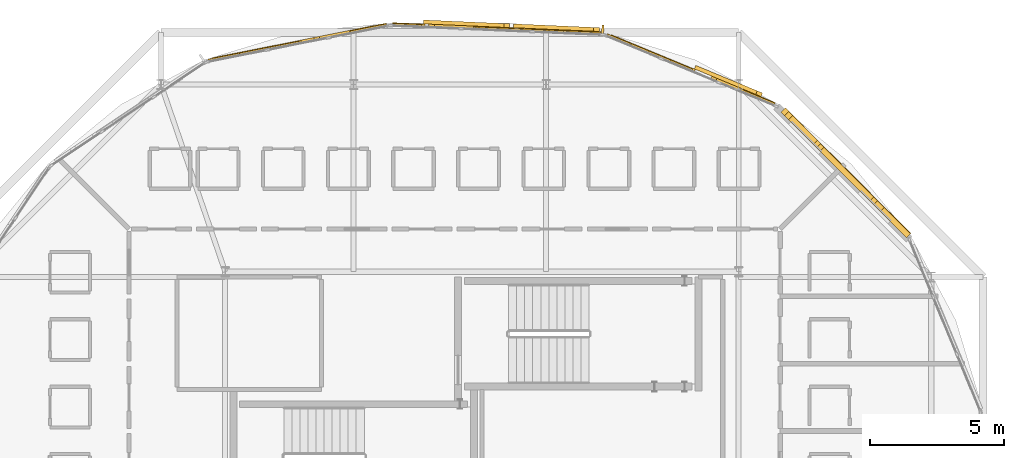
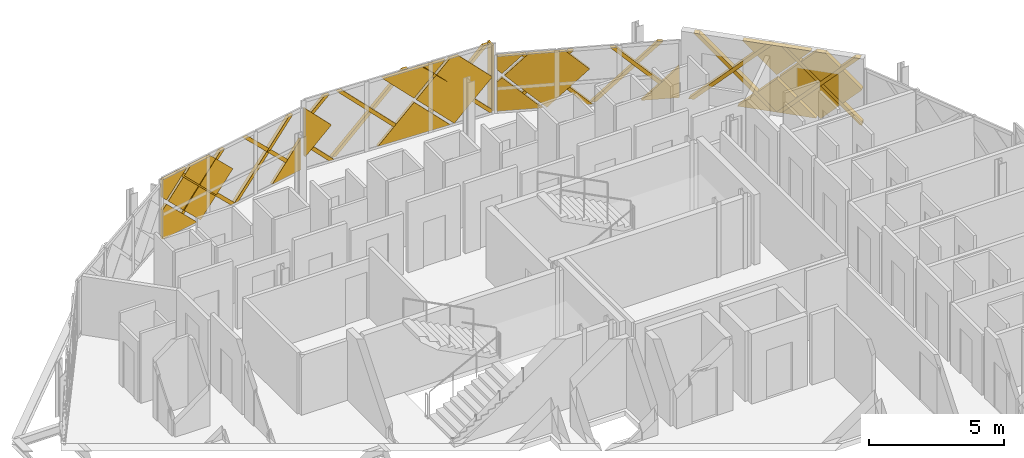
# One storey, part 24 of 24: 33 coverings, 1 shading device.
"""IFC4 building model written with IfcOpenShell, lengths in metres."""

from ifc_helpers import new_model, si_unit, direction, frame, origin, origin_2d, place, context, subcontext, project, spatial, polyline, rectangle, outline, extrude, material, layer, layer_set, type_object, element, save


model = new_model("IFC4")

# Units and contexts
model_context = context("Model", 3, precision=1e-05, world=origin(), true_north=direction((0.0, 1.0)))
body_context = subcontext(model_context, "Body", "Model", "MODEL_VIEW")
ifc_project = project(units=[si_unit("LENGTHUNIT", "METRE"), si_unit("AREAUNIT", "SQUARE_METRE"), si_unit("VOLUMEUNIT", "CUBIC_METRE"), si_unit("PLANEANGLEUNIT", "RADIAN"), si_unit("MASSUNIT", "GRAM", prefix="KILO")], contexts=[model_context])

# Site, building, storey
site_placement = place(None, origin())
site = spatial("IfcSite", under=ifc_project, at=site_placement, CompositionType="ELEMENT")
building_placement = place(site_placement, origin())
building = spatial("IfcBuilding", under=site, at=building_placement, Name="Zevrakil Square Congress Hotel", CompositionType="ELEMENT")
storey_placement = place(building_placement, frame((0.0, 0.0, 35.10009765625)))
storey = spatial("IfcBuildingStorey", under=building, at=storey_placement, Name="L10", CompositionType="ELEMENT", Elevation=35.10009765625)

# Coverings
ifc_material_1 = material(Name="Architectural White Fibre-C GRC", Category="concrete")
ifc_layer_1 = layer(ifc_material_1, 0.06494140625)
ifc_layer_set_1 = layer_set([ifc_layer_1], Name="Architectural White Fibre-C GRC")
covering_type_1 = type_object("IfcCoveringType", Name="COV-DIA-WHITE", PredefinedType="CLADDING", material=ifc_layer_set_1)
covering_1_placement = place(storey_placement, frame((160.11962890625, 42.317626953125, 1.58984375), z_axis=(0.707106665659, 0.707106665659, 0.000571630288), x_axis=(-0.499716692516, 0.500288319938, -0.707103121302)))
element("IfcCovering", 1, at=covering_1_placement, inside=storey, type_object=covering_type_1, Name="L10 45-degree white GRC diamond facade cassette 3127", PredefinedType="CLADDING", context=body_context, shape_type="SweptSolid", body=[
    extrude(outline(polyline([(0.0, 0.0), (2.1354873428434074, 0.0), (-2.1408116838594893e-05, -2.1354873427360994), (0.0, 0.0)])), origin(), (0.0, 0.0, -1.0), 0.2099609375),
])
covering_2_placement = place(storey_placement, frame((160.183349609375, 42.25390625, 1.679931640625), z_axis=(0.707106663625, 0.707106663625, 0.00057663933), x_axis=(0.500240182649, -0.499663487777, -0.707174772349)))
element("IfcCovering", 2, at=covering_2_placement, inside=storey, type_object=covering_type_1, Name="L10 45-degree white GRC diamond facade cassette 3128", PredefinedType="CLADDING", context=body_context, shape_type="SweptSolid", body=[
    extrude(outline(polyline([(0.0, 0.0), (2.2485076134077002, 0.0), (2.2483178134371515, -2.234593685585913), (2.2341605059829, -2.248748265899383), (0.2612823635777707, -2.2485359916129237), (-0.0004111751662821961, -1.9867920327853321), (0.0, 0.0)])), origin(), (0.0, 0.0, -1.0), 0.2099609375),
])
covering_3_placement = place(storey_placement, frame((160.11962890625, 42.317626953125, 1.77001953125), z_axis=(0.70710662884, 0.70710662884, 0.000656430216), x_axis=(0.499673233658, -0.500329661973, 0.707104581314)))
element("IfcCovering", 3, at=covering_3_placement, inside=storey, type_object=covering_type_1, Name="L10 45-degree white GRC diamond facade cassette 3129", PredefinedType="CLADDING", context=body_context, shape_type="SweptSolid", body=[
    extrude(outline(polyline([(0.0, 0.0), (1.8596137558692716, 0.0), (-1.0769527048926086e-05, -1.8596137558380872), (0.0, 0.0)])), origin(), (0.0, 0.0, -1.0), 0.2099609375),
])
covering_4_placement = place(storey_placement, frame((156.063720703125, 45.441650390625, 0.079833984375), z_axis=(0.382708559996, 0.923868854107, 0.000706056783), x_axis=(0.923869084389, -0.382708655389, 0.0)))
element("IfcCovering", 4, at=covering_4_placement, inside=storey, type_object=covering_type_1, Name="L10 45-degree white GRC diamond facade cassette 3134", PredefinedType="CLADDING", context=body_context, shape_type="SweptSolid", body=[
    extrude(outline(polyline([(0.0, 0.0), (1.4098212142643223, 0.0), (1.4099693992099196, -1.4101566014929852), (0.0, 0.0)])), origin(), (0.0, 0.0, -1.0), 0.1201171875),
])
covering_5_placement = place(storey_placement, frame((151.249755859375, 47.4345703125, 1.58984375), z_axis=(0.382709013795, 0.923868678907, 0.000689125563), x_axis=(-0.653022420204, 0.271039494994, -0.707177001086)))
element("IfcCovering", 5, at=covering_5_placement, inside=storey, type_object=covering_type_1, Name="L10 45-degree white GRC diamond facade cassette 3135", PredefinedType="CLADDING", context=body_context, shape_type="SweptSolid", body=[
    extrude(outline(polyline([(0.0, 0.0), (0.26272191217596336, 0.0), (1.1991247849860547, -0.9363258613185188), (0.00011626749712867479, -2.135572949177425), (0.0, 0.0)])), origin(), (0.0, 0.0, -1.0), 0.1201171875),
])
covering_6_placement = place(storey_placement, frame((151.3330078125, 47.39990234375, 1.679931640625), z_axis=(0.382636576828, 0.923898731416, 0.00061980693), x_axis=(0.653413857094, -0.270139713964, -0.707159717672)))
element("IfcCovering", 6, at=covering_6_placement, inside=storey, type_object=covering_type_1, Name="L10 45-degree white GRC diamond facade cassette 3136", PredefinedType="CLADDING", context=body_context, shape_type="SweptSolid", body=[
    extrude(outline(polyline([(0.0, 0.0), (2.2485555277166682, -2.220446049250313e-16), (2.2484274147121424, -2.248764980229939), (0.9898207064568879, -2.2485621544883805), (-4.090177526516747e-05, -1.2585519776338137), (0.0, 0.0)])), origin(), (0.0, 0.0, -1.0), 0.1201171875),
])
covering_7_placement = place(storey_placement, frame((151.249755859375, 47.434326171875, 1.77001953125), z_axis=(0.382821907419, 0.92382203329, 0.000487861163), x_axis=(0.653231826221, -0.271065583658, 0.706973571337)))
element("IfcCovering", 7, at=covering_7_placement, inside=storey, type_object=covering_type_1, Name="L10 45-degree white GRC diamond facade cassette 3137", PredefinedType="CLADDING", context=body_context, shape_type="SweptSolid", body=[
    extrude(outline(polyline([(0.0, 0.0), (1.1313077467635297, -1.1102230246251565e-16), (0.4339749010691525, -0.6970703620436047), (-2.32350806222692e-05, -0.2627219697375292), (0.0, 0.0)])), origin(), (0.0, 0.0, -1.0), 0.1201171875),
])
covering_8_placement = place(storey_placement, frame((147.596923828125, 47.69580078125, 1.58984375), z_axis=(0.043086410141, 0.999071187493, 0.000568842742), x_axis=(-0.706426752544, 0.030868299593, -0.707112714757)))
element("IfcCovering", 8, at=covering_8_placement, inside=storey, type_object=covering_type_1, Name="L10 45-degree white GRC diamond facade cassette 3142", PredefinedType="CLADDING", context=body_context, shape_type="SweptSolid", body=[
    extrude(outline(polyline([(0.0, 0.0), (2.135458370514828, -2.220446049250313e-16), (-8.387518109587155e-05, -2.1355787772971335), (0.0, 0.0)])), origin(), (0.0, 0.0, -1.0), 0.1201171875),
])
covering_9_placement = place(storey_placement, frame((147.68701171875, 47.69189453125, 1.679931640625), z_axis=(0.043117578707, 0.99906981849, 0.000610072482), x_axis=(0.706407674214, -0.030055122205, -0.707166803124)))
element("IfcCovering", 9, at=covering_9_placement, inside=storey, type_object=covering_type_1, Name="L10 45-degree white GRC diamond facade cassette 3143", PredefinedType="CLADDING", context=body_context, shape_type="SweptSolid", body=[
    extrude(outline(polyline([(0.0, 0.0), (2.2485329555748446, 0.0), (2.2483752581227345, -2.234600730413266), (2.234218110208634, -2.248755469734134), (0.2613333641552037, -2.2485587603349004), (-0.00025228079200545483, -1.9869286752764381), (0.0, 0.0)])), origin(), (0.0, 0.0, -1.0), 0.1201171875),
])
covering_10_placement = place(storey_placement, frame((144.150146484375, 47.844482421875, 1.679931640625), z_axis=(0.043059613715, 0.999072280907, 0.00066872308), x_axis=(-0.706473431631, 0.029975424745, 0.707104493205)))
element("IfcCovering", 10, at=covering_10_placement, inside=storey, type_object=covering_type_1, Name="L10 45-degree white GRC diamond facade cassette 3144", PredefinedType="CLADDING", context=body_context, shape_type="SweptSolid", body=[
    extrude(outline(polyline([(0.0, 0.0), (1.5474916250221034, 0.0), (5.3923718446147184e-05, -1.5475362260584025), (0.0, 0.0)])), origin(), (0.0, 0.0, -1.0), 0.1201171875),
])
covering_11_placement = place(storey_placement, frame((147.596923828125, 47.69580078125, 1.77001953125), z_axis=(0.043167297507, 0.999067646824, 0.000649227026), x_axis=(0.70643902096, -0.030983015972, 0.70709544079)))
element("IfcCovering", 11, at=covering_11_placement, inside=storey, type_object=covering_type_1, Name="L10 45-degree white GRC diamond facade cassette 3145", PredefinedType="CLADDING", context=body_context, shape_type="SweptSolid", body=[
    extrude(outline(polyline([(0.0, 0.0), (1.8596377948367748, -1.1102230246251565e-16), (-6.698815647077083e-06, -1.8595856298707423), (0.0, 0.0)])), origin(), (0.0, 0.0, -1.0), 0.1201171875),
])
covering_12_placement = place(storey_placement, frame((141.45361328125, 47.6005859375, 0.079833984375), z_axis=(-0.194983743053, 0.980806323849, 0.00054317914), x_axis=(0.980806468539, 0.194983771818, 0.0)))
element("IfcCovering", 12, at=covering_12_placement, inside=storey, type_object=covering_type_1, Name="L10 45-degree white GRC diamond facade cassette 3152", PredefinedType="CLADDING", context=body_context, shape_type="SweptSolid", body=[
    extrude(outline(polyline([(0.0, 0.0), (1.409872940642345, 0.0), (1.409969584966829, -1.4101564580288195), (0.0, 0.0)])), origin(), (0.0, 0.0, -1.0), 0.1201171875),
])
covering_13_placement = place(storey_placement, frame((136.34375, 46.583251953125, 1.58984375), z_axis=(-0.195094933104, 0.98078421567, 0.000537931904), x_axis=(-0.693839288016, -0.137628937092, -0.706855938703)))
element("IfcCovering", 13, at=covering_13_placement, inside=storey, type_object=covering_type_1, Name="L10 45-degree white GRC diamond facade cassette 3153", PredefinedType="CLADDING", context=body_context, shape_type="SweptSolid", body=[
    extrude(outline(polyline([(0.0, 0.0), (0.2624960217197745, 2.7755575615628914e-17), (1.1985996791059204, -0.9369698115085008), (-0.0008437876241818021, -2.135563080102116), (0.0, 0.0)])), origin(), (0.0, 0.0, -1.0), 0.1201171875),
])
covering_14_placement = place(storey_placement, frame((136.431884765625, 46.600830078125, 1.679931640625), z_axis=(-0.195069529518, 0.980789222803, 0.000615701003), x_axis=(0.693428308372, 0.138360111444, -0.707116440701)))
element("IfcCovering", 14, at=covering_14_placement, inside=storey, type_object=covering_type_1, Name="L10 45-degree white GRC diamond facade cassette 3154", PredefinedType="CLADDING", context=body_context, shape_type="SweptSolid", body=[
    extrude(outline(polyline([(0.0, 0.0), (2.248693058065618, 0.0), (2.2487336696625766, -2.248795966479184), (0.7070529549426807, -2.248711322764189), (9.19425580026001e-06, -1.5416479882939331), (0.0, 0.0)])), origin(), (0.0, 0.0, -1.0), 0.1201171875),
])
covering_15_placement = place(storey_placement, frame((136.34375, 46.583251953125, 1.77001953125), z_axis=(-0.195032363574, 0.98079656885, 0.000683879647), x_axis=(0.693629684063, 0.137435906976, 0.707099167628)))
element("IfcCovering", 15, at=covering_15_placement, inside=storey, type_object=covering_type_1, Name="L10 45-degree white GRC diamond facade cassette 3155", PredefinedType="CLADDING", context=body_context, shape_type="SweptSolid", body=[
    extrude(outline(polyline([(0.0, 0.0), (1.4142288191217562, -1.1102230246251565e-16), (0.5758718881893744, -0.8383392403229075), (-0.00012947437824370467, -0.26252970563505884), (0.0, 0.0)])), origin(), (0.0, 0.0, -1.0), 0.1201171875),
])
ifc_material_2 = material(Name="Anodised Champagne Aluminium", Category="aluminium")
ifc_layer_2 = layer(ifc_material_2, 0.0849609375)
ifc_layer_set_2 = layer_set([ifc_layer_2], Name="Anodised Champagne Aluminium")
covering_type_2 = type_object("IfcCoveringType", Name="COV-DIAGRID-45", PredefinedType="MOLDING", material=ifc_layer_set_2)
covering_16_placement = place(storey_placement, frame((162.38232421875, 40.091796875, 0.079833984375), z_axis=(0.707263099021, 0.706949924934, 0.000844037744), x_axis=(0.706950176861, -0.707263350837, -1.8691e-07)))
element("IfcCovering", 16, at=covering_16_placement, inside=storey, type_object=covering_type_2, Name="L10 45-degree aluminium diagrid rib 3130", PredefinedType="MOLDING", context=body_context, shape_type="SweptSolid", body=[
    extrude(outline(polyline([(0.0, 0.0), (0.08597147665933184, 6.776263578034403e-21), (0.08614412478392416, -0.12622080387437967), (-2.7926920646969373, -3.0051274855000165), (-3.005031254036251, -3.0051274855000165), (0.0, 0.0)])), origin(), (0.0, 0.0, -1.0), 0.235107421875),
])
covering_17_placement = place(storey_placement, frame((160.00634765625, 42.467529296875, 0.079833984375), z_axis=(0.707106664511, 0.707106664511, 0.000574463128), x_axis=(0.707106781376, -0.707106780997, -4.67423e-07)))
element("IfcCovering", 17, at=covering_17_placement, inside=storey, type_object=covering_type_2, Name="L10 45-degree aluminium diagrid rib 3131", PredefinedType="MOLDING", context=body_context, shape_type="SweptSolid", body=[
    extrude(outline(polyline([(0.0, 0.0), (0.21216656105428755, 6.776263578034403e-21), (-2.792866030163083, -3.005126143532835), (-3.005032591217278, -3.005125945189684), (0.0, 0.0)])), origin(), (0.0, 0.0, -1.0), 0.235107421875),
])
covering_18_placement = place(storey_placement, frame((162.39306640625, 40.078369140625, 3.0849609375), z_axis=(0.706818569252, 0.707394154406, 0.001010184912), x_axis=(-0.707394515051, 0.706818930191, -4.11145e-07)))
element("IfcCovering", 18, at=covering_18_placement, inside=storey, type_object=covering_type_2, Name="L10 45-degree aluminium diagrid rib 3132", PredefinedType="MOLDING", context=body_context, shape_type="SweptSolid", body=[
    extrude(outline(polyline([(0.0, 0.0), (0.2119939100044577, 0.0), (3.2171980140686354, -3.0051271637156884), (3.005031400325152, -3.0051273381074513), (0.0, 0.0)])), origin(), (0.0, 0.0, -1.0), 0.235107421875),
])
covering_19_placement = place(storey_placement, frame((160.01708984375, 42.4541015625, 3.0849609375), z_axis=(0.707106640009, 0.707106640009, 0.000631909419), x_axis=(-0.707106780957, 0.707106781416, -5.14165e-07)))
element("IfcCovering", 19, at=covering_19_placement, inside=storey, type_object=covering_type_2, Name="L10 45-degree aluminium diagrid rib 3133", PredefinedType="MOLDING", context=body_context, shape_type="SweptSolid", body=[
    extrude(outline(polyline([(0.0, 0.0), (0.21216656105429244, -1.3552527156068805e-20), (3.217026659246624, -3.005125899029297), (3.004860098192444, -3.005126117206755), (0.0, 0.0)])), origin(), (0.0, 0.0, -1.0), 0.235107421875),
])
covering_20_placement = place(storey_placement, frame((157.29638671875, 44.9580078125, 0.079833984375), z_axis=(0.382416377468, 0.923990057889, 0.000295240161), x_axis=(0.923990098116, -0.382416394239, 3.80318e-07)))
element("IfcCovering", 20, at=covering_20_placement, inside=storey, type_object=covering_type_2, Name="L10 45-degree aluminium diagrid rib 3138", PredefinedType="MOLDING", context=body_context, shape_type="SweptSolid", body=[
    extrude(outline(polyline([(0.0, 0.0), (0.08591869997804807, 1.6940658945086007e-21), (0.08591874798208551, -0.12622069762386637), (-2.277820603651244, -2.489991220604139), (-2.48996081157966, -2.489991324037162), (0.0, 0.0)])), origin(), (0.0, 0.0, -1.0), 0.14501953125),
])
covering_21_placement = place(storey_placement, frame((154.192138671875, 46.243896484375, 0.079833984375), z_axis=(0.382775324288, 0.923841196214, 0.000703770647), x_axis=(0.923841424942, -0.382775419224, 2.19017e-07)))
element("IfcCovering", 21, at=covering_21_placement, inside=storey, type_object=covering_type_2, Name="L10 45-degree aluminium diagrid rib 3139", PredefinedType="MOLDING", context=body_context, shape_type="SweptSolid", body=[
    extrude(outline(polyline([(0.0, 0.0), (0.2122336129955014, 0.0), (-2.278046079846826, -2.48999134994301), (-2.4899606945893575, -2.489991442838567), (0.0, 0.0)])), origin(), (0.0, 0.0, -1.0), 0.14501953125),
])
covering_22_placement = place(storey_placement, frame((156.835693359375, 45.147216796875, 2.56982421875), z_axis=(-0.383266521535, -0.923637788383, 9.6655468e-05), x_axis=(-0.923637792696, 0.383266523327, 2.133e-08)))
element("IfcCovering", 22, at=covering_22_placement, inside=storey, type_object=covering_type_2, Name="L10 45-degree aluminium diagrid rib 3140", PredefinedType="MOLDING", context=body_context, shape_type="SweptSolid", body=[
    extrude(outline(polyline([(0.0, 0.0), (0.21200812060798283, 8.470329472543003e-22), (2.7020952789604684, 2.4899903036409916), (2.489861660844503, 2.48999029459204), (0.0, 0.0)])), origin(), (0.0, 0.0, -1.0), 0.14501953125),
])
covering_23_placement = place(storey_placement, frame((153.7314453125, 46.43310546875, 2.56982421875), z_axis=(0.382571872424, 0.923925454306, 0.000719246977), x_axis=(-0.923925693392, 0.382571971125, 3.82386e-07)))
element("IfcCovering", 23, at=covering_23_placement, inside=storey, type_object=covering_type_2, Name="L10 45-degree aluminium diagrid rib 3141", PredefinedType="MOLDING", context=body_context, shape_type="SweptSolid", body=[
    extrude(outline(polyline([(0.0, 0.0), (0.2121401919450824, 6.776263578034403e-21), (2.702093797150664, -2.4899919116749185), (2.4898602038454434, -2.489991749400248), (0.0, 0.0)])), origin(), (0.0, 0.0, -1.0), 0.14501953125),
])
covering_24_placement = place(storey_placement, frame((150.76904296875, 47.5849609375, 0.079833984375), z_axis=(0.043695007049, 0.999044169752, 0.001221983102), x_axis=(0.999044915733, -0.043695038, -1.369947e-06)))
element("IfcCovering", 24, at=covering_24_placement, inside=storey, type_object=covering_type_2, Name="L10 45-degree aluminium diagrid rib 3146", PredefinedType="MOLDING", context=body_context, shape_type="SweptSolid", body=[
    extrude(outline(polyline([(0.0, 0.0), (0.08601543845412031, 0.0), (0.08602593327228836, -0.12622090695117125), (-2.792796215338488, -3.0051253148747343), (-3.00491325593917, -3.005125013422231), (0.0, 0.0)])), origin(), (0.0, 0.0, -1.0), 0.14501953125),
])
covering_25_placement = place(storey_placement, frame((147.412109375, 47.729736328125, 0.079833984375), z_axis=(0.043162494234, 0.999067866532, 0.000630202572), x_axis=(0.999068064914, -0.043162503033, 3.62335e-07)))
element("IfcCovering", 25, at=covering_25_placement, inside=storey, type_object=covering_type_2, Name="L10 45-degree aluminium diagrid rib 3147", PredefinedType="MOLDING", context=body_context, shape_type="SweptSolid", body=[
    extrude(outline(polyline([(0.0, 0.0), (0.21211700572777084, 1.6940658945086007e-21), (-2.792803083594937, -3.005128561805607), (-3.004909551602241, -3.0051287155164528), (0.0, 0.0)])), origin(), (0.0, 0.0, -1.0), 0.14501953125),
])
covering_26_placement = place(storey_placement, frame((144.055419921875, 47.87451171875, 0.079833984375), z_axis=(0.043092911954, 0.999070861149, 0.000644470826), x_axis=(0.999071068636, -0.043092920694, -3.25671e-07)))
element("IfcCovering", 26, at=covering_26_placement, inside=storey, type_object=covering_type_2, Name="L10 45-degree aluminium diagrid rib 3148", PredefinedType="MOLDING", context=body_context, shape_type="SweptSolid", body=[
    extrude(outline(polyline([(0.0, 0.0), (0.2121064759868, 0.0), (-0.9982084973966953, -1.2104491450379142), (-0.9982189490354716, -0.9982908287733278), (0.0, 0.0)])), origin(), (0.0, 0.0, -1.0), 0.14501953125),
])
for number, where, z_axis, x_axis, name in (
    (27, (150.7861328125, 47.582275390625, 3.0849609375), (-0.04373690917, -0.999043083144, 2.8238958e-05), (-0.999043083543, 0.043736909187, 0.0), "L10 45-degree aluminium diagrid rib 3149"),
    (28, (147.42919921875, 47.72705078125, 3.0849609375), (-0.04373690917, -0.999043083144, 2.8238958e-05), (-0.999043083543, 0.043736909187, 0.0), "L10 45-degree aluminium diagrid rib 3150"),
):
    element("IfcCovering", number, at=place(storey_placement, frame(where, z_axis=z_axis, x_axis=x_axis)), inside=storey, type_object=covering_type_2, Name=name, PredefinedType="MOLDING", context=body_context, shape_type="SweptSolid", body=[
        extrude(outline(polyline([(0.0, 0.0), (0.21211704078717858, 0.0), (3.217186194954366, 3.005126954323203), (3.0050691541671877, 3.005126954323203), (0.0, 0.0)])), origin(), (0.0, 0.0, -1.0), 0.14501953125),
    ])
covering_27_placement = place(storey_placement, frame((144.072509765625, 47.8720703125, 3.0849609375), z_axis=(0.0430869476, 0.999071175514, 0.000548819298), x_axis=(-0.999071325983, 0.043086953924, 3.0093e-07)))
element("IfcCovering", 29, at=covering_27_placement, inside=storey, type_object=covering_type_2, Name="L10 45-degree aluminium diagrid rib 3151", PredefinedType="MOLDING", context=body_context, shape_type="SweptSolid", body=[
    extrude(outline(polyline([(0.0, 0.0), (0.21235039052110072, 0.0), (1.0153659931786887, -0.8032230827706026), (1.0153659293339168, -1.015381253944287), (0.0, 0.0)])), origin(), (0.0, 0.0, -1.0), 0.14501953125),
])
covering_28_placement = place(storey_placement, frame((142.7470703125, 47.88330078125, 0.079833984375), z_axis=(-0.195653272231, 0.980673134367, 2.4403881e-05), x_axis=(0.980673134659, 0.19565327229, 2.046e-09)))
element("IfcCovering", 30, at=covering_28_placement, inside=storey, type_object=covering_type_2, Name="L10 45-degree aluminium diagrid rib 3156", PredefinedType="MOLDING", context=body_context, shape_type="SweptSolid", body=[
    extrude(outline(polyline([(0.0, 0.0), (0.08613598153810498, 5.293955920339377e-23), (0.08613598179640831, -0.12622070308741468), (-2.477833761103705, -2.690185552811873), (-2.6899418096923036, -2.6901855533522596), (0.0, 0.0)])), origin(), (0.0, 0.0, -1.0), 0.14501953125),
])
covering_29_placement = place(storey_placement, frame((139.45166015625, 47.227783203125, 0.079833984375), z_axis=(-0.195673415113, 0.980669115745, 6.476381e-06), x_axis=(0.980669115765, 0.195673415118, 0.0)))
element("IfcCovering", 31, at=covering_29_placement, inside=storey, type_object=covering_type_2, Name="L10 45-degree aluminium diagrid rib 3157", PredefinedType="MOLDING", context=body_context, shape_type="SweptSolid", body=[
    extrude(outline(polyline([(0.0, 0.0), (0.21210804863334146, -5.293955920339377e-23), (-2.4778337674895528, -2.6901855469314175), (-2.6899418161228943, -2.6901855469314175), (0.0, 0.0)])), origin(), (0.0, 0.0, -1.0), 0.14501953125),
])
covering_30_placement = place(storey_placement, frame((142.455322265625, 47.82373046875, 2.77001953125), z_axis=(-0.195673273346, 0.980668405239, 0.001203770387), x_axis=(-0.980669115765, -0.195673415118, 0.0)))
element("IfcCovering", 32, at=covering_30_placement, inside=storey, type_object=covering_type_2, Name="L10 45-degree aluminium diagrid rib 3158", PredefinedType="MOLDING", context=body_context, shape_type="SweptSolid", body=[
    extrude(outline(polyline([(0.0, 0.0), (0.21210804863334146, 0.0), (2.9021470944805445, -2.6901874960014824), (2.690039045847203, -2.6901874960014824), (0.0, 0.0)])), origin(), (0.0, 0.0, -1.0), 0.14501953125),
])
covering_31_placement = place(storey_placement, frame((139.159912109375, 47.168212890625, 2.77001953125), z_axis=(-0.195562922708, 0.980690538874, 0.001100102122), x_axis=(-0.980691132276, -0.195563041179, 1.23815e-07)))
element("IfcCovering", 33, at=covering_31_placement, inside=storey, type_object=covering_type_2, Name="L10 45-degree aluminium diagrid rib 3159", PredefinedType="MOLDING", context=body_context, shape_type="SweptSolid", body=[
    extrude(outline(polyline([(0.0, 0.0), (0.2121080472899394, -6.776263578034403e-21), (2.9023865340338664, -2.6901875340994876), (2.690039060197961, -2.6901874815455957), (0.0, 0.0)])), origin(), (0.0, 0.0, -1.0), 0.14501953125),
])

# Shading device
ifc_material_3 = material(Name="Aluminium Anodised Bronze", Category="aluminium")
shading_device_type = type_object("IfcShadingDeviceType", Name="SHD-FIN-35", PredefinedType="JALOUSIE", material=ifc_material_3)
shading_device_placement = place(storey_placement, frame((150.918212890625, 47.653564453125, 0.10009765625), z_axis=(0.0, 0.0, 1.0), x_axis=(0.043096280984, 0.999070923691, 0.0)))
element("IfcShadingDevice", 34, at=shading_device_placement, inside=storey, type_object=shading_device_type, Name="L10 aluminium solar shading fin 174", PredefinedType="JALOUSIE", context=body_context, shape_type="SweptSolid", body=[
    extrude(rectangle(XDim=0.35009765625, YDim=0.080078125, at=origin_2d()), origin(), (0.0, 0.0, 1.0), 2.965087890625),
])

save(model, "model.ifc")
